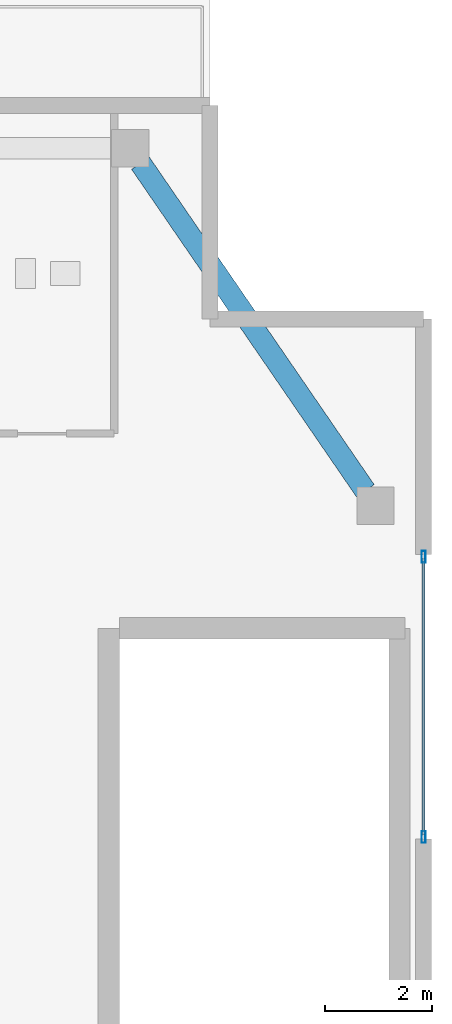
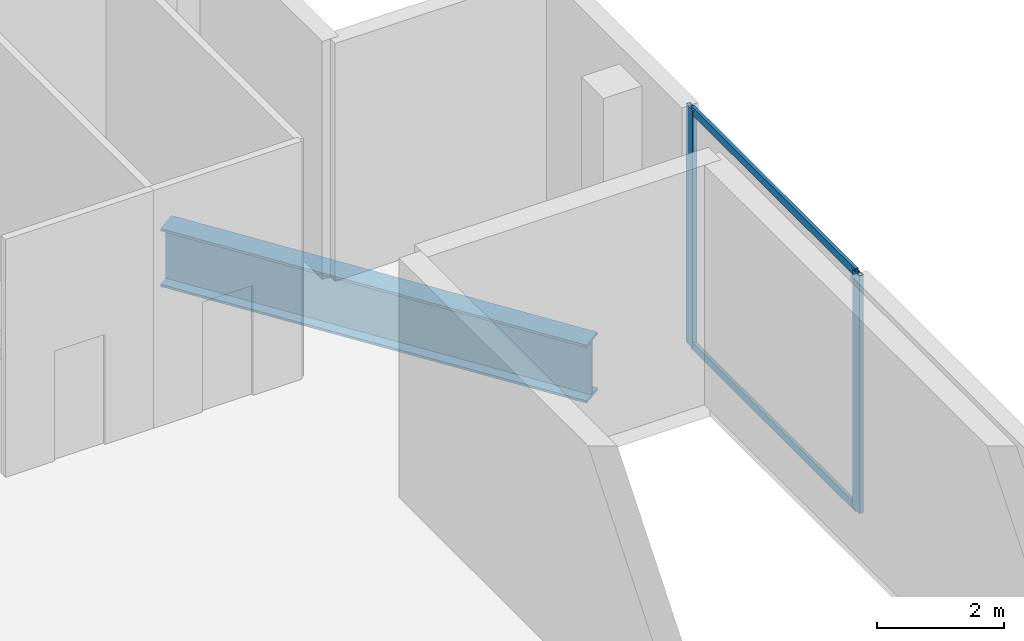
# One storey, part 19 of 28: 4 members, 1 beam, 1 element without a shape of its own.
"""IFC4 building model written with IfcOpenShell, lengths in metres."""

from ifc_helpers import new_model, si_unit, direction, frame, origin, origin_2d, place, context, subcontext, project, spatial, hollow_rectangle, i_section, extrude, material, layer, layer_set, material_profile, profile_set, type_object, element, aggregate, save


model = new_model("IFC4")

# Units and contexts
model_context = context("Model", 3, precision=1e-05, world=origin(), true_north=direction((0.0, 1.0)))
body_context = subcontext(model_context, "Body", "Model", "MODEL_VIEW")
ifc_project = project(units=[si_unit("LENGTHUNIT", "METRE"), si_unit("AREAUNIT", "SQUARE_METRE"), si_unit("VOLUMEUNIT", "CUBIC_METRE"), si_unit("PLANEANGLEUNIT", "RADIAN"), si_unit("MASSUNIT", "GRAM", prefix="KILO")], contexts=[model_context])

# Site, building, storey
site_placement = place(None, origin())
site = spatial("IfcSite", under=ifc_project, at=site_placement, CompositionType="ELEMENT")
building_placement = place(site_placement, origin())
building = spatial("IfcBuilding", under=site, at=building_placement, Name="Zuhayl Quay Hotel", CompositionType="ELEMENT")
storey_placement = place(building_placement, frame((0.0, 0.0, 22.800048828125)))
storey = spatial("IfcBuildingStorey", under=building, at=storey_placement, Name="L04", CompositionType="ELEMENT", Elevation=22.800048828125)

# Beam
ifc_material_1 = material(Name="Steel ASTM A913 Grade 65", Category="steel")
ifc_material_profile_1 = material_profile(ifc_material_1, i_section(OverallWidth=0.404052734375, OverallDepth=1.117919921875, WebThickness=0.026123046875, FlangeThickness=0.044921875, at=origin_2d()), Name="W44X335")
ifc_profile_set_1 = profile_set([ifc_material_profile_1], Name="Steel ASTM A913 Grade 65")
beam_type = type_object("IfcBeamType", Name="BM_TG1_W44X335", PredefinedType="BEAM", material=ifc_profile_set_1)
beam_placement = place(storey_placement, frame((34.90771484375, 15.7802734375, -0.819091796875), z_axis=(-0.566026455068, 0.824387076659, 0.0), x_axis=(-0.824387076659, -0.566026455068, 0.0)))
element("IfcBeam", 1, at=beam_placement, inside=storey, type_object=beam_type, Name="L04 Floor Beam PG_E_L04_3", PredefinedType="BEAM", context=body_context, shape_type="SweptSolid", body=[
    extrude(i_section(OverallWidth=0.404052734375, OverallDepth=1.117919921875, WebThickness=0.026123046875, FlangeThickness=0.044921875, at=origin_2d()), origin(), (0.0, 0.0, 1.0), 7.447265625),
])

# Curtain wall, members
ifc_material_2 = material(Name="Anodised Aluminium 6063-T6", Category="aluminium")
ifc_layer = layer(ifc_material_2, 0.199951171875, Name="Anodised Aluminium 6063-T6", Category="aluminium")
ifc_layer_set = layer_set([ifc_layer], Name="Anodised Aluminium 6063-T6")
curtain_wall_type = type_object("IfcCurtainWallType", Name="CW_SYS_POD", PredefinedType="USERDEFINED", material=ifc_layer_set)
curtain_wall_placement = place(storey_placement, origin())
curtain_wall = element("IfcCurtainWall", 2, at=curtain_wall_placement, inside=storey, type_object=curtain_wall_type, Name="L04 Curtain Wall ENV_L04_E08_CW1", ObjectType="UNITISED CURTAIN WALL", PredefinedType="USERDEFINED")
ifc_material_3 = material(Name="Black-anodised aluminium 6063-T6", Category="aluminium")
ifc_material_profile_2 = material_profile(ifc_material_3, hollow_rectangle(XDim=0.074951171875, YDim=0.219970703125, WallThickness=0.00390625, at=origin_2d()), Name="ALU220X75")
ifc_profile_set_2 = profile_set([ifc_material_profile_2], Name="Black-anodised aluminium 6063-T6")
member_type_1 = type_object("IfcMemberType", Name="MB_CW_MUL_220", PredefinedType="MULLION", material=ifc_profile_set_2)
member_1_placement = place(storey_placement, frame((36.0, 14.54248046875, 0.0), z_axis=(0.0, 0.0, 1.0), x_axis=(1.0, 0.0, 0.0)))
member_1 = element("IfcMember", 3, at=member_1_placement, type_object=member_type_1, Name="CW-POD mullion 1", PredefinedType="MULLION", context=body_context, shape_type="SweptSolid", body=[
    extrude(hollow_rectangle(XDim=0.074951171875, YDim=0.219970703125, WallThickness=0.00390625, at=origin_2d()), origin(), (0.0, 0.0, 1.0), 4.579833984375),
])
member_2_placement = place(storey_placement, frame((36.0, 9.28759765625, 0.0), z_axis=(0.0, 0.0, 1.0), x_axis=(1.0, 0.0, 0.0)))
member_2 = element("IfcMember", 4, at=member_2_placement, type_object=member_type_1, Name="CW-POD mullion 2", PredefinedType="MULLION", context=body_context, shape_type="SweptSolid", body=[
    extrude(hollow_rectangle(XDim=0.074951171875, YDim=0.219970703125, WallThickness=0.00390625, at=origin_2d()), origin(), (0.0, 0.0, 1.0), 4.579833984375),
])
ifc_material_profile_3 = material_profile(ifc_material_3, hollow_rectangle(XDim=0.06005859375, YDim=0.14990234375, WallThickness=0.00341796875, at=origin_2d()), Name="ALU150X60")
ifc_profile_set_3 = profile_set([ifc_material_profile_3], Name="Black-anodised aluminium 6063-T6")
member_type_2 = type_object("IfcMemberType", Name="MB_CW_TRN_150", PredefinedType="USERDEFINED", material=ifc_profile_set_3)
member_3_placement = place(storey_placement, frame((36.0, 14.5048828125, 0.030029296875), z_axis=(0.0, -1.0, 0.0), x_axis=(1.0, 0.0, 0.0)))
member_3 = element("IfcMember", 5, at=member_3_placement, type_object=member_type_2, Name="CW-POD transom 1.1", ObjectType="TRANSOM", PredefinedType="USERDEFINED", context=body_context, shape_type="SweptSolid", body=[
    extrude(hollow_rectangle(XDim=0.06005859375, YDim=0.14990234375, WallThickness=0.00341796875, at=origin_2d()), origin(), (0.0, 0.0, 1.0), 5.179931640625),
])
member_4_placement = place(storey_placement, frame((36.0, 14.5048828125, 4.550048828125), z_axis=(0.0, -1.0, 0.0), x_axis=(1.0, 0.0, 0.0)))
member_4 = element("IfcMember", 6, at=member_4_placement, type_object=member_type_2, Name="CW-POD transom 1.2", ObjectType="TRANSOM", PredefinedType="USERDEFINED", context=body_context, shape_type="SweptSolid", body=[
    extrude(hollow_rectangle(XDim=0.06005859375, YDim=0.14990234375, WallThickness=0.00341796875, at=origin_2d()), origin(), (0.0, 0.0, 1.0), 5.179931640625),
])
aggregate(curtain_wall, [member_1, member_2, member_3, member_4])

save(model, "model.ifc")
